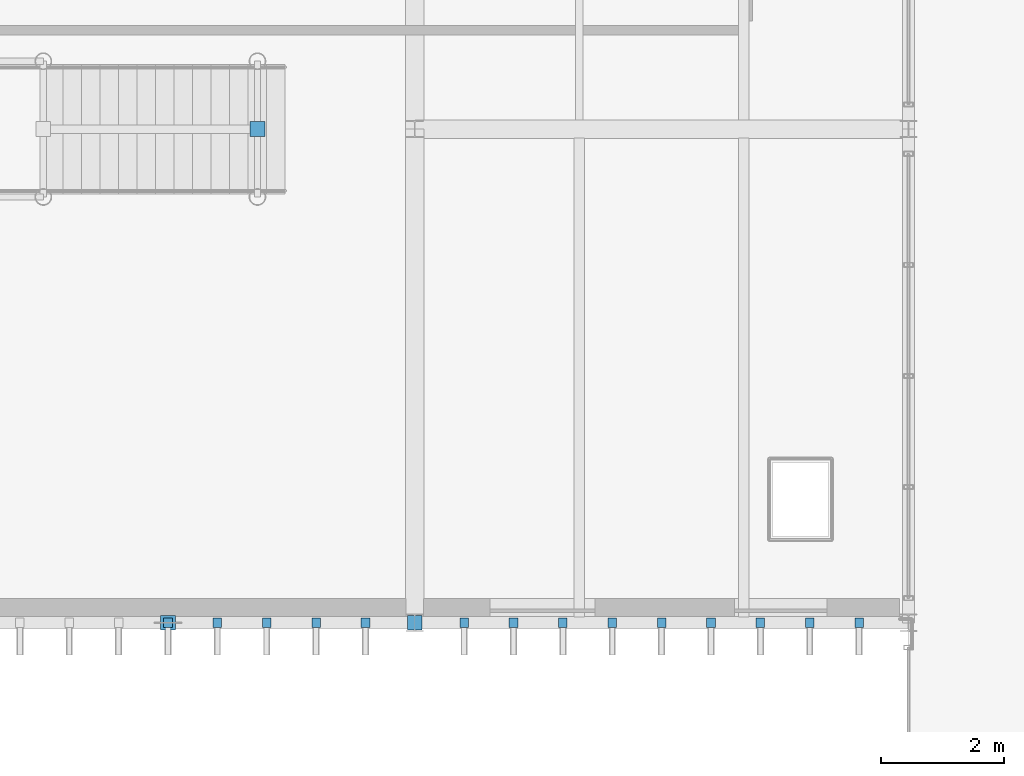
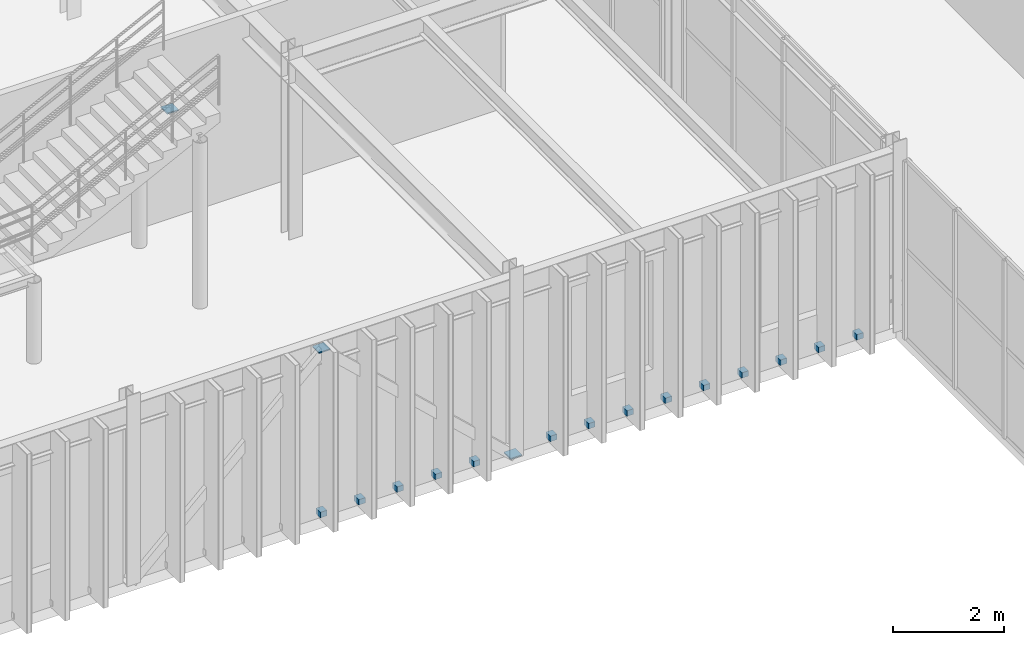
# One storey, part 108 of 122: 17 discrete accessories.
"""IFC4 building model written with IfcOpenShell, lengths in metres."""

from ifc_helpers import new_model, si_unit, direction, frame, origin, origin_2d, place, context, subcontext, project, spatial, rectangle, extrude, material, type_object, element, save


model = new_model("IFC4")

# Units and contexts
model_context = context("Model", 3, precision=1e-05, world=origin(), true_north=direction((0.0, 1.0)))
body_context = subcontext(model_context, "Body", "Model", "MODEL_VIEW")
ifc_project = project(units=[si_unit("LENGTHUNIT", "METRE"), si_unit("AREAUNIT", "SQUARE_METRE"), si_unit("VOLUMEUNIT", "CUBIC_METRE"), si_unit("PLANEANGLEUNIT", "RADIAN"), si_unit("MASSUNIT", "GRAM", prefix="KILO")], contexts=[model_context])

# Site, building, storey
site_placement = place(None, origin())
site = spatial("IfcSite", under=ifc_project, at=site_placement, CompositionType="ELEMENT")
building_placement = place(site_placement, origin())
building = spatial("IfcBuilding", under=site, at=building_placement, Name="Sundkrona Museum", CompositionType="ELEMENT")
storey_placement = place(building_placement, frame((0.0, 0.0, 5.39990234375)))
storey = spatial("IfcBuildingStorey", under=building, at=storey_placement, Name="L01", CompositionType="ELEMENT", Elevation=5.39990234375)

# Discrete accessories
ifc_material = material(Name="Stainless Steel EN 1.4404 Cleat", Category="steel")
discrete_accessory_type = type_object("IfcDiscreteAccessoryType", Name="BRK-FIN-01", PredefinedType="BRACKET", material=ifc_material)
for number, where, z_axis, x_axis, name in (
    (1, (68.0, 78.0, 3.7275390625), (0.0, 0.0, 1.0), (1.0, 0.0, 0.0), "Brace and Strut End Connection Plate BR-L01-020A-2"),
    (2, (72.0, 78.0, -0.012451171875), (0.0, 0.0, 1.0), (1.0, 0.0, 0.0), "Brace and Strut End Connection Plate BR-L01-020B-1"),
    (3, (69.449951171875, 86.0, 3.647705078125), (0.0, 0.0, 1.0), (1.0, 0.0, 0.0), "Brace and Strut End Connection Plate RK-FS-6-FL2-2"),
):
    element("IfcDiscreteAccessory", number, at=place(storey_placement, frame(where, z_axis=z_axis, x_axis=x_axis)), inside=storey, type_object=discrete_accessory_type, Name=name, PredefinedType="BRACKET", context=body_context, shape_type="SweptSolid", body=[
        extrude(rectangle(XDim=0.239990234375, YDim=0.239990234375, at=origin_2d()), origin(), (0.0, 0.0, 1.0), 0.02490234375),
    ])
for number, where, z_axis, x_axis, name in (
    (4, (68.0, 78.0, 0.06005859375), (0.0, 0.0, 1.0), (1.0, 0.0, 0.0), "L01 Fin Bracket S-041"),
    (5, (68.800048828125, 78.0, 0.06005859375), (0.0, 0.0, 1.0), (1.0, 0.0, 0.0), "L01 Fin Bracket S-042"),
    (6, (69.60009765625, 78.0, 0.06005859375), (0.0, 0.0, 1.0), (1.0, 0.0, 0.0), "L01 Fin Bracket S-043"),
    (7, (70.39990234375, 78.0, 0.06005859375), (0.0, 0.0, 1.0), (1.0, 0.0, 0.0), "L01 Fin Bracket S-044"),
    (8, (71.199951171875, 78.0, 0.06005859375), (0.0, 0.0, 1.0), (1.0, 0.0, 0.0), "L01 Fin Bracket S-045"),
    (9, (72.800048828125, 78.0, 0.06005859375), (0.0, 0.0, 1.0), (1.0, 0.0, 0.0), "L01 Fin Bracket S-046"),
    (10, (73.60009765625, 78.0, 0.06005859375), (0.0, 0.0, 1.0), (1.0, 0.0, 0.0), "L01 Fin Bracket S-047"),
    (11, (74.39990234375, 78.0, 0.06005859375), (0.0, 0.0, 1.0), (1.0, 0.0, 0.0), "L01 Fin Bracket S-048"),
    (12, (75.199951171875, 78.0, 0.06005859375), (0.0, 0.0, 1.0), (1.0, 0.0, 0.0), "L01 Fin Bracket S-049"),
    (13, (76.0, 78.0, 0.06005859375), (0.0, 0.0, 1.0), (1.0, 0.0, 0.0), "L01 Fin Bracket S-050"),
    (14, (76.800048828125, 78.0, 0.06005859375), (0.0, 0.0, 1.0), (1.0, 0.0, 0.0), "L01 Fin Bracket S-051"),
    (15, (77.60009765625, 78.0, 0.06005859375), (0.0, 0.0, 1.0), (1.0, 0.0, 0.0), "L01 Fin Bracket S-052"),
    (16, (78.39990234375, 78.0, 0.06005859375), (0.0, 0.0, 1.0), (1.0, 0.0, 0.0), "L01 Fin Bracket S-053"),
    (17, (79.199951171875, 78.0, 0.06005859375), (0.0, 0.0, 1.0), (1.0, 0.0, 0.0), "L01 Fin Bracket S-054"),
):
    element("IfcDiscreteAccessory", number, at=place(storey_placement, frame(where, z_axis=z_axis, x_axis=x_axis)), inside=storey, type_object=discrete_accessory_type, Name=name, PredefinedType="BRACKET", context=body_context, shape_type="SweptSolid", body=[
        extrude(rectangle(XDim=0.139892578125, YDim=0.159912109375, at=origin_2d()), origin(), (0.0, 0.0, 1.0), 0.1201171875),
    ])

save(model, "model.ifc")
